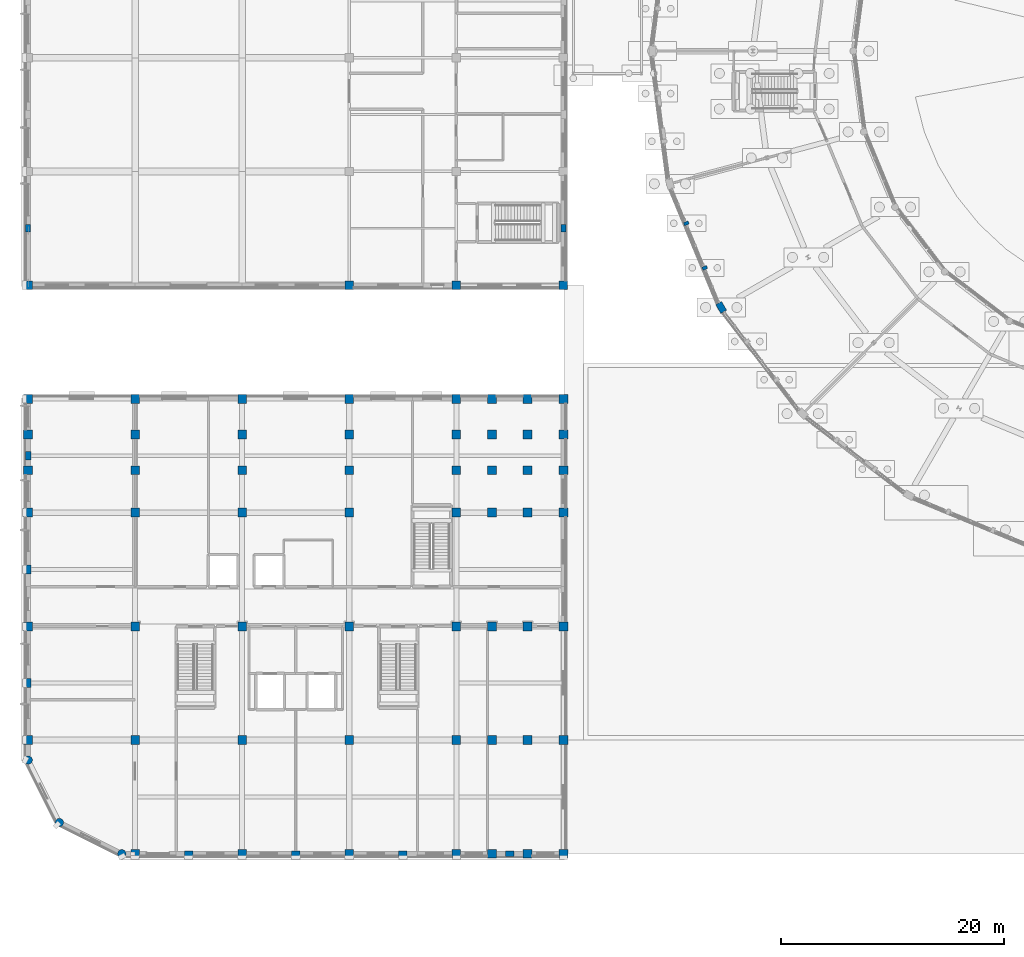
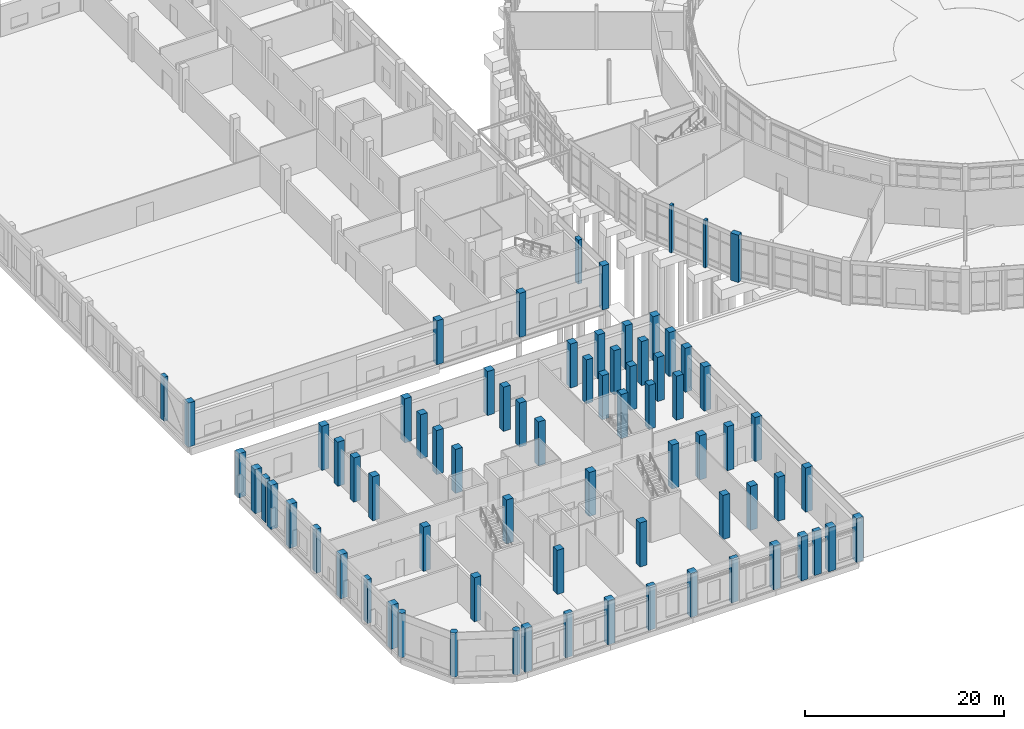
# One storey, part 6 of 137: 74 columns.
"""IFC4 building model written with IfcOpenShell, lengths in metres."""

from ifc_helpers import new_model, si_unit, direction, frame, origin, origin_2d, place, context, subcontext, project, spatial, rectangle, circle, extrude, material, material_profile, profile_set, type_object, element, save


model = new_model("IFC4")

# Units and contexts
model_context = context("Model", 3, precision=1e-05, world=origin(), true_north=direction((0.0, 1.0)))
body_context = subcontext(model_context, "Body", "Model", "MODEL_VIEW")
ifc_project = project(units=[si_unit("LENGTHUNIT", "METRE"), si_unit("AREAUNIT", "SQUARE_METRE"), si_unit("VOLUMEUNIT", "CUBIC_METRE"), si_unit("PLANEANGLEUNIT", "RADIAN"), si_unit("MASSUNIT", "GRAM", prefix="KILO")], contexts=[model_context])

# Site, building, storey
site_placement = place(None, origin())
site = spatial("IfcSite", under=ifc_project, at=site_placement, CompositionType="ELEMENT")
building_placement = place(site_placement, origin())
building = spatial("IfcBuilding", under=site, at=building_placement, Name="Vondelvale Polytechnic", CompositionType="ELEMENT")
storey_placement = place(building_placement, origin())
storey = spatial("IfcBuildingStorey", under=building, at=storey_placement, Name="L00", CompositionType="ELEMENT", Elevation=0.0)

# Columns
ifc_material_1 = material(Name="Glulam GL18 structural Tasmanian oak (fb = 42 MPa)", Category="wood")
ifc_material_profile_1 = material_profile(ifc_material_1, rectangle(XDim=0.300048828125, YDim=0.449951171875, at=origin_2d()), Name="GL-POST-300x450")
ifc_profile_set_1 = profile_set([ifc_material_profile_1], Name="Glulam GL18 structural Tasmanian oak (fb = 42 MPa)")
column_type_1 = type_object("IfcColumnType", Name="COL-GLULAM-300x450", PredefinedType="PILASTER", material=ifc_profile_set_1)
for number, where, z_axis, x_axis, name in (
    (1, (59.037841796875, 56.544189453125, -0.39990234375), (0.0, 0.0, 1.0), (-0.382683432365, 0.923879532511, 0.0), "L00 ring outer glulam timber post C13-P1"),
    (2, (60.6923828125, 52.55029296875, -0.39990234375), (0.0, 0.0, 1.0), (-0.382683432365, 0.923879532511, 0.0), "L00 ring outer glulam timber post C13-P2"),
):
    element("IfcColumn", number, at=place(storey_placement, frame(where, z_axis=z_axis, x_axis=x_axis)), inside=storey, type_object=column_type_1, Name=name, PredefinedType="PILASTER", context=body_context, shape_type="SweptSolid", body=[
        extrude(rectangle(XDim=0.300048828125, YDim=0.449951171875, at=origin_2d()), origin(), (0.0, 0.0, 1.0), 5.7998046875),
    ])
ifc_material_2 = material(Name="Concrete N50 (f'c = 50 MPa)", Category="concrete")
ifc_material_profile_2 = material_profile(ifc_material_2, rectangle(XDim=0.75, YDim=0.75, at=origin_2d()), Name="RC-COL-750x750")
ifc_profile_set_2 = profile_set([ifc_material_profile_2], Name="Concrete N50 (f'c = 50 MPa)")
column_type_2 = type_object("IfcColumnType", Name="COL-RC750", PredefinedType="COLUMN", material=ifc_profile_set_2)
for number, where, z_axis, x_axis, name in (
    (3, (0.0, 51.0, 0.0), (0.0, 0.0, 1.0), (1.0, 0.0, 0.0), "L00 workshop column (0.0,51.0)"),
    (4, (28.800048828125, 51.0, 0.0), (0.0, 0.0, 1.0), (1.0, 0.0, 0.0), "L00 workshop column (28.8,51.0)"),
    (5, (38.39990234375, 51.0, 0.0), (0.0, 0.0, 1.0), (1.0, 0.0, 0.0), "L00 workshop column (38.4,51.0)"),
    (6, (48.0, 51.0, 0.0), (0.0, 0.0, 1.0), (1.0, 0.0, 0.0), "L00 workshop column (48.0,51.0)"),
):
    element("IfcColumn", number, at=place(storey_placement, frame(where, z_axis=z_axis, x_axis=x_axis)), inside=storey, type_object=column_type_2, Name=name, PredefinedType="COLUMN", context=body_context, shape_type="SweptSolid", body=[
        extrude(rectangle(XDim=0.75, YDim=0.75, at=origin_2d()), origin(), (0.0, 0.0, 1.0), 5.39990234375),
    ])
ifc_material_profile_3 = material_profile(ifc_material_2, rectangle(XDim=0.800048828125, YDim=0.800048828125, at=origin_2d()), Name="RC-COL-800x800")
ifc_profile_set_3 = profile_set([ifc_material_profile_3], Name="Concrete N50 (f'c = 50 MPa)")
column_type_3 = type_object("IfcColumnType", Name="COL-RC800", PredefinedType="COLUMN", material=ifc_profile_set_3)
for number, where, z_axis, x_axis, name in (
    (7, (0.0, 10.199951171875, 0.0), (0.0, 0.0, 1.0), (1.0, 0.0, 0.0), "L00 corner wing column (0.0,10.2)"),
    (8, (0.0, 20.39990234375, 0.0), (0.0, 0.0, 1.0), (1.0, 0.0, 0.0), "L00 corner wing column (0.0,20.4)"),
    (9, (0.0, 30.60009765625, 0.0), (0.0, 0.0, 1.0), (1.0, 0.0, 0.0), "L00 corner wing column (0.0,30.6)"),
    (10, (0.0, 34.39990234375, 0.0), (0.0, 0.0, 1.0), (1.0, 0.0, 0.0), "L00 corner wing column (0.0,34.4)"),
    (11, (0.0, 37.60009765625, 0.0), (0.0, 0.0, 1.0), (1.0, 0.0, 0.0), "L00 corner wing column (0.0,37.6)"),
    (12, (0.0, 40.800048828125, 0.0), (0.0, 0.0, 1.0), (1.0, 0.0, 0.0), "L00 corner wing column (0.0,40.8)"),
    (13, (9.60009765625, 0.0, 0.0), (0.0, 0.0, 1.0), (1.0, 0.0, 0.0), "L00 corner wing column (9.6,0.0)"),
    (14, (9.60009765625, 10.199951171875, 0.0), (0.0, 0.0, 1.0), (1.0, 0.0, 0.0), "L00 corner wing column (9.6,10.2)"),
    (15, (9.60009765625, 20.39990234375, 0.0), (0.0, 0.0, 1.0), (1.0, 0.0, 0.0), "L00 corner wing column (9.6,20.4)"),
    (16, (9.60009765625, 30.60009765625, 0.0), (0.0, 0.0, 1.0), (1.0, 0.0, 0.0), "L00 corner wing column (9.6,30.6)"),
    (17, (9.60009765625, 34.39990234375, 0.0), (0.0, 0.0, 1.0), (1.0, 0.0, 0.0), "L00 corner wing column (9.6,34.4)"),
    (18, (9.60009765625, 37.60009765625, 0.0), (0.0, 0.0, 1.0), (1.0, 0.0, 0.0), "L00 corner wing column (9.6,37.6)"),
    (19, (9.60009765625, 40.800048828125, 0.0), (0.0, 0.0, 1.0), (1.0, 0.0, 0.0), "L00 corner wing column (9.6,40.8)"),
    (20, (19.199951171875, 0.0, 0.0), (0.0, 0.0, 1.0), (1.0, 0.0, 0.0), "L00 corner wing column (19.2,0.0)"),
    (21, (19.199951171875, 10.199951171875, 0.0), (0.0, 0.0, 1.0), (1.0, 0.0, 0.0), "L00 corner wing column (19.2,10.2)"),
    (22, (19.199951171875, 20.39990234375, 0.0), (0.0, 0.0, 1.0), (1.0, 0.0, 0.0), "L00 corner wing column (19.2,20.4)"),
    (23, (19.199951171875, 30.60009765625, 0.0), (0.0, 0.0, 1.0), (1.0, 0.0, 0.0), "L00 corner wing column (19.2,30.6)"),
    (24, (19.199951171875, 34.39990234375, 0.0), (0.0, 0.0, 1.0), (1.0, 0.0, 0.0), "L00 corner wing column (19.2,34.4)"),
    (25, (19.199951171875, 37.60009765625, 0.0), (0.0, 0.0, 1.0), (1.0, 0.0, 0.0), "L00 corner wing column (19.2,37.6)"),
    (26, (19.199951171875, 40.800048828125, 0.0), (0.0, 0.0, 1.0), (1.0, 0.0, 0.0), "L00 corner wing column (19.2,40.8)"),
    (27, (28.800048828125, 0.0, 0.0), (0.0, 0.0, 1.0), (1.0, 0.0, 0.0), "L00 corner wing column (28.8,0.0)"),
    (28, (28.800048828125, 10.199951171875, 0.0), (0.0, 0.0, 1.0), (1.0, 0.0, 0.0), "L00 corner wing column (28.8,10.2)"),
    (29, (28.800048828125, 20.39990234375, 0.0), (0.0, 0.0, 1.0), (1.0, 0.0, 0.0), "L00 corner wing column (28.8,20.4)"),
    (30, (28.800048828125, 30.60009765625, 0.0), (0.0, 0.0, 1.0), (1.0, 0.0, 0.0), "L00 corner wing column (28.8,30.6)"),
    (31, (28.800048828125, 34.39990234375, 0.0), (0.0, 0.0, 1.0), (1.0, 0.0, 0.0), "L00 corner wing column (28.8,34.4)"),
    (32, (28.800048828125, 37.60009765625, 0.0), (0.0, 0.0, 1.0), (1.0, 0.0, 0.0), "L00 corner wing column (28.8,37.6)"),
    (33, (28.800048828125, 40.800048828125, 0.0), (0.0, 0.0, 1.0), (1.0, 0.0, 0.0), "L00 corner wing column (28.8,40.8)"),
    (34, (38.39990234375, 0.0, 0.0), (0.0, 0.0, 1.0), (1.0, 0.0, 0.0), "L00 corner wing column (38.4,0.0)"),
    (35, (38.39990234375, 10.199951171875, 0.0), (0.0, 0.0, 1.0), (1.0, 0.0, 0.0), "L00 corner wing column (38.4,10.2)"),
    (36, (38.39990234375, 20.39990234375, 0.0), (0.0, 0.0, 1.0), (1.0, 0.0, 0.0), "L00 corner wing column (38.4,20.4)"),
    (37, (38.39990234375, 30.60009765625, 0.0), (0.0, 0.0, 1.0), (1.0, 0.0, 0.0), "L00 corner wing column (38.4,30.6)"),
    (38, (38.39990234375, 34.39990234375, 0.0), (0.0, 0.0, 1.0), (1.0, 0.0, 0.0), "L00 corner wing column (38.4,34.4)"),
    (39, (38.39990234375, 37.60009765625, 0.0), (0.0, 0.0, 1.0), (1.0, 0.0, 0.0), "L00 corner wing column (38.4,37.6)"),
    (40, (38.39990234375, 40.800048828125, 0.0), (0.0, 0.0, 1.0), (1.0, 0.0, 0.0), "L00 corner wing column (38.4,40.8)"),
    (41, (41.60009765625, 0.0, 0.0), (0.0, 0.0, 1.0), (1.0, 0.0, 0.0), "L00 corner wing column (41.6,0.0)"),
    (42, (41.60009765625, 10.199951171875, 0.0), (0.0, 0.0, 1.0), (1.0, 0.0, 0.0), "L00 corner wing column (41.6,10.2)"),
    (43, (41.60009765625, 20.39990234375, 0.0), (0.0, 0.0, 1.0), (1.0, 0.0, 0.0), "L00 corner wing column (41.6,20.4)"),
    (44, (41.60009765625, 30.60009765625, 0.0), (0.0, 0.0, 1.0), (1.0, 0.0, 0.0), "L00 corner wing column (41.6,30.6)"),
    (45, (41.60009765625, 34.39990234375, 0.0), (0.0, 0.0, 1.0), (1.0, 0.0, 0.0), "L00 corner wing column (41.6,34.4)"),
    (46, (41.60009765625, 37.60009765625, 0.0), (0.0, 0.0, 1.0), (1.0, 0.0, 0.0), "L00 corner wing column (41.6,37.6)"),
    (47, (41.60009765625, 40.800048828125, 0.0), (0.0, 0.0, 1.0), (1.0, 0.0, 0.0), "L00 corner wing column (41.6,40.8)"),
    (48, (44.800048828125, 0.0, 0.0), (0.0, 0.0, 1.0), (1.0, 0.0, 0.0), "L00 corner wing column (44.8,0.0)"),
    (49, (44.800048828125, 10.199951171875, 0.0), (0.0, 0.0, 1.0), (1.0, 0.0, 0.0), "L00 corner wing column (44.8,10.2)"),
    (50, (44.800048828125, 20.39990234375, 0.0), (0.0, 0.0, 1.0), (1.0, 0.0, 0.0), "L00 corner wing column (44.8,20.4)"),
    (51, (44.800048828125, 30.60009765625, 0.0), (0.0, 0.0, 1.0), (1.0, 0.0, 0.0), "L00 corner wing column (44.8,30.6)"),
    (52, (44.800048828125, 34.39990234375, 0.0), (0.0, 0.0, 1.0), (1.0, 0.0, 0.0), "L00 corner wing column (44.8,34.4)"),
    (53, (44.800048828125, 37.60009765625, 0.0), (0.0, 0.0, 1.0), (1.0, 0.0, 0.0), "L00 corner wing column (44.8,37.6)"),
    (54, (44.800048828125, 40.800048828125, 0.0), (0.0, 0.0, 1.0), (1.0, 0.0, 0.0), "L00 corner wing column (44.8,40.8)"),
    (55, (48.0, 0.0, 0.0), (0.0, 0.0, 1.0), (1.0, 0.0, 0.0), "L00 corner wing column (48.0,0.0)"),
    (56, (48.0, 10.199951171875, 0.0), (0.0, 0.0, 1.0), (1.0, 0.0, 0.0), "L00 corner wing column (48.0,10.2)"),
    (57, (48.0, 20.39990234375, 0.0), (0.0, 0.0, 1.0), (1.0, 0.0, 0.0), "L00 corner wing column (48.0,20.4)"),
    (58, (48.0, 30.60009765625, 0.0), (0.0, 0.0, 1.0), (1.0, 0.0, 0.0), "L00 corner wing column (48.0,30.6)"),
    (59, (48.0, 34.39990234375, 0.0), (0.0, 0.0, 1.0), (1.0, 0.0, 0.0), "L00 corner wing column (48.0,34.4)"),
    (60, (48.0, 37.60009765625, 0.0), (0.0, 0.0, 1.0), (1.0, 0.0, 0.0), "L00 corner wing column (48.0,37.6)"),
    (61, (48.0, 40.800048828125, 0.0), (0.0, 0.0, 1.0), (1.0, 0.0, 0.0), "L00 corner wing column (48.0,40.8)"),
):
    element("IfcColumn", number, at=place(storey_placement, frame(where, z_axis=z_axis, x_axis=x_axis)), inside=storey, type_object=column_type_3, Name=name, PredefinedType="COLUMN", context=body_context, shape_type="SweptSolid", body=[
        extrude(rectangle(XDim=0.800048828125, YDim=0.800048828125, at=origin_2d()), origin(), (0.0, 0.0, 1.0), 5.39990234375),
    ])
ifc_material_profile_4 = material_profile(ifc_material_2, rectangle(XDim=0.60009765625, YDim=0.89990234375, at=origin_2d()), Name="RC-COL-900x600")
ifc_profile_set_4 = profile_set([ifc_material_profile_4], Name="Concrete N50 (f'c = 50 MPa)")
column_type_4 = type_object("IfcColumnType", Name="COL-RC900x600", PredefinedType="COLUMN", material=ifc_profile_set_4)
column_placement = place(storey_placement, frame((62.162841796875, 49.0, -0.39990234375), z_axis=(0.0, 0.0, 1.0), x_axis=(0.866025403784, 0.5, 0.0)))
element("IfcColumn", 62, at=column_placement, inside=storey, type_object=column_type_4, Name="L00 courtyard ring column S14-RO", PredefinedType="COLUMN", context=body_context, shape_type="SweptSolid", body=[
    extrude(rectangle(XDim=0.60009765625, YDim=0.89990234375, at=origin_2d()), origin(), (0.0, 0.0, 1.0), 5.7998046875),
])
ifc_material_profile_5 = material_profile(ifc_material_2, circle(Radius=0.375, at=origin_2d()), Name="RC-COL-D750")
ifc_profile_set_5 = profile_set([ifc_material_profile_5], Name="Concrete N50 (f'c = 50 MPa)")
column_type_5 = type_object("IfcColumnType", Name="COL-RCD750", PredefinedType="COLUMN", material=ifc_profile_set_5)
for number, where, z_axis, x_axis, name in (
    (63, (8.39990234375, 0.0, 0.0), (0.0, 0.0, 1.0), (0.0, 1.0, 0.0), "L00 SW corner turret pier TR-S"),
    (64, (2.800048828125, 2.800048828125, 0.0), (0.0, 0.0, 1.0), (0.707106781187, 0.707106781187, 0.0), "L00 SW corner turret pier TR-M"),
    (65, (0.0, 8.39990234375, 0.0), (0.0, 0.0, 1.0), (1.0, 0.0, 0.0), "L00 SW corner turret pier TR-W"),
):
    element("IfcColumn", number, at=place(storey_placement, frame(where, z_axis=z_axis, x_axis=x_axis)), inside=storey, type_object=column_type_5, Name=name, PredefinedType="COLUMN", context=body_context, shape_type="SweptSolid", body=[
        extrude(circle(Radius=0.375, at=origin_2d()), origin(), (0.0, 0.0, 1.0), 5.39990234375),
    ])
ifc_material_profile_6 = material_profile(ifc_material_2, rectangle(XDim=0.449951171875, YDim=0.699951171875, at=origin_2d()), Name="RC-PIL-700x450")
ifc_profile_set_6 = profile_set([ifc_material_profile_6], Name="Concrete N50 (f'c = 50 MPa)")
column_type_6 = type_object("IfcColumnType", Name="PIL-RC700x450", PredefinedType="PILASTER", material=ifc_profile_set_6)
for number, where, z_axis, x_axis, name in (
    (66, (0.0, 56.10009765625, 0.0), (0.0, 0.0, 1.0), (1.0, 0.0, 0.0), "L00 West workshop brick pilaster 1"),
    (67, (48.0, 56.10009765625, 0.0), (0.0, 0.0, 1.0), (1.0, 0.0, 0.0), "L00 East workshop brick pilaster 1"),
):
    element("IfcColumn", number, at=place(storey_placement, frame(where, z_axis=z_axis, x_axis=x_axis)), inside=storey, type_object=column_type_6, Name=name, PredefinedType="PILASTER", context=body_context, shape_type="SweptSolid", body=[
        extrude(rectangle(XDim=0.449951171875, YDim=0.699951171875, at=origin_2d()), origin(), (0.0, 0.0, 1.0), 5.39990234375),
    ])
ifc_material_profile_7 = material_profile(ifc_material_2, rectangle(XDim=0.5, YDim=0.800048828125, at=origin_2d()), Name="RC-PIL-800x500")
ifc_profile_set_7 = profile_set([ifc_material_profile_7], Name="Concrete N50 (f'c = 50 MPa)")
column_type_7 = type_object("IfcColumnType", Name="PIL-RC800x500", PredefinedType="PILASTER", material=ifc_profile_set_7)
for number, where, z_axis, x_axis, name in (
    (68, (14.39990234375, 0.0, 0.0), (0.0, 0.0, 1.0), (0.0, 1.0, 0.0), "L00 South street brick pilaster 1"),
    (69, (24.0, 0.0, 0.0), (0.0, 0.0, 1.0), (0.0, 1.0, 0.0), "L00 South street brick pilaster 2"),
    (70, (33.60009765625, 0.0, 0.0), (0.0, 0.0, 1.0), (0.0, 1.0, 0.0), "L00 South street brick pilaster 3"),
    (71, (43.199951171875, 0.0, 0.0), (0.0, 0.0, 1.0), (0.0, 1.0, 0.0), "L00 South street brick pilaster 4"),
    (72, (0.0, 15.300048828125, 0.0), (0.0, 0.0, 1.0), (1.0, 0.0, 0.0), "L00 West street brick pilaster 1"),
    (73, (0.0, 25.5, 0.0), (0.0, 0.0, 1.0), (1.0, 0.0, 0.0), "L00 West street brick pilaster 2"),
    (74, (0.0, 35.699951171875, 0.0), (0.0, 0.0, 1.0), (1.0, 0.0, 0.0), "L00 West street brick pilaster 3"),
):
    element("IfcColumn", number, at=place(storey_placement, frame(where, z_axis=z_axis, x_axis=x_axis)), inside=storey, type_object=column_type_7, Name=name, PredefinedType="PILASTER", context=body_context, shape_type="SweptSolid", body=[
        extrude(rectangle(XDim=0.5, YDim=0.800048828125, at=origin_2d()), origin(), (0.0, 0.0, 1.0), 5.39990234375),
    ])

save(model, "model.ifc")
